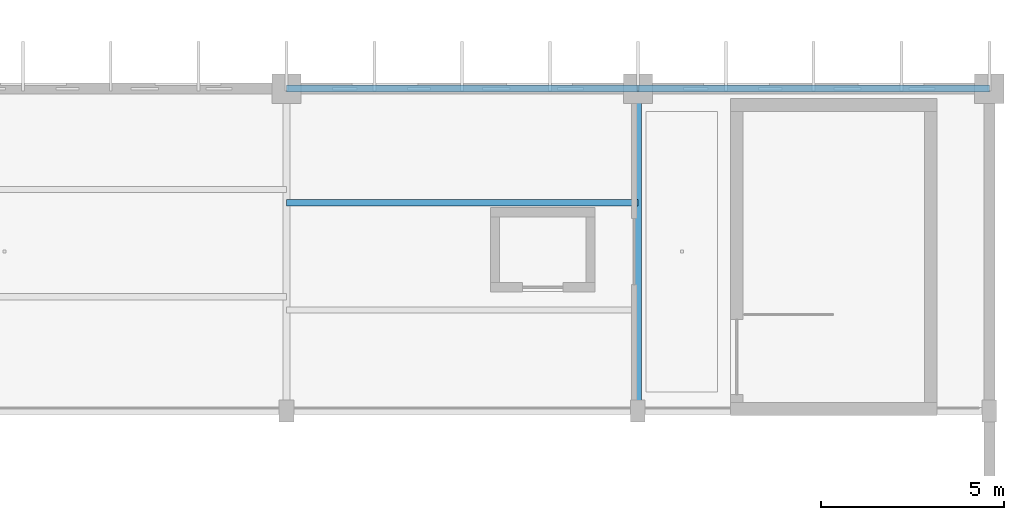
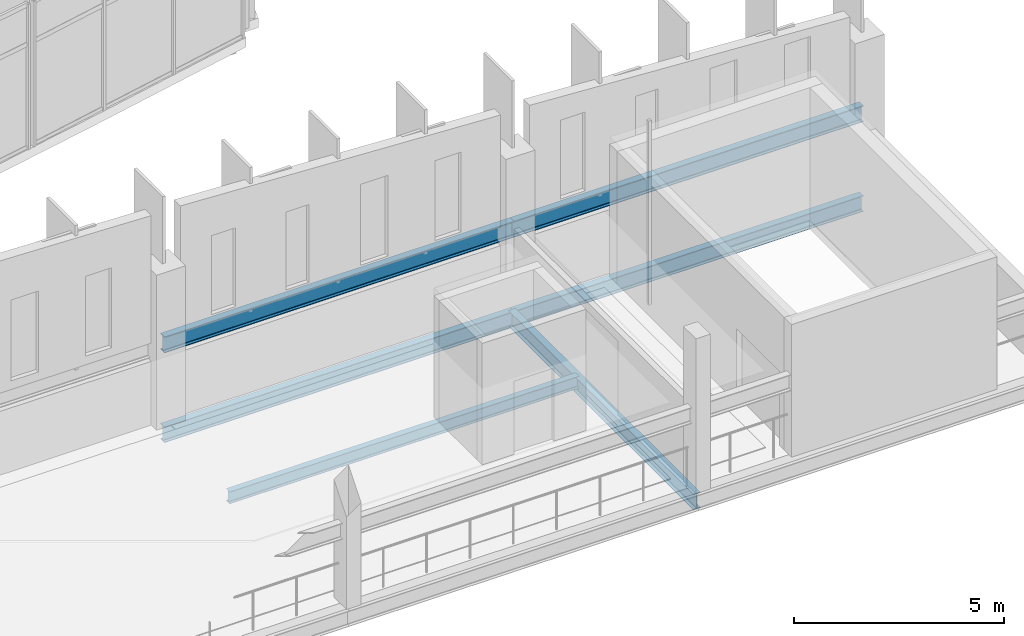
# One storey, part 48 of 114: 6 beams.
"""IFC4 building model written with IfcOpenShell, lengths in metres."""

from ifc_helpers import new_model, si_unit, direction, frame, origin, origin_2d, place, context, subcontext, project, spatial, i_section, extrude, material, material_profile, profile_set, type_object, element, save


model = new_model("IFC4")

# Units and contexts
model_context = context("Model", 3, precision=1e-05, world=origin(), true_north=direction((0.0, 1.0)))
body_context = subcontext(model_context, "Body", "Model", "MODEL_VIEW")
ifc_project = project(units=[si_unit("LENGTHUNIT", "METRE"), si_unit("AREAUNIT", "SQUARE_METRE"), si_unit("VOLUMEUNIT", "CUBIC_METRE"), si_unit("PLANEANGLEUNIT", "RADIAN"), si_unit("MASSUNIT", "GRAM", prefix="KILO")], contexts=[model_context])

# Site, building, storey
site_placement = place(None, origin())
site = spatial("IfcSite", under=ifc_project, at=site_placement, CompositionType="ELEMENT")
building_placement = place(site_placement, origin())
building = spatial("IfcBuilding", under=site, at=building_placement, Name="Chalmorin Arch Market", CompositionType="ELEMENT")
storey_placement = place(building_placement, frame((0.0, 0.0, 9.60009765625)))
storey = spatial("IfcBuildingStorey", under=building, at=storey_placement, Name="L02", CompositionType="ELEMENT", Elevation=9.60009765625)

# Beams
ifc_material = material(Name="Steel A992 Grade 50", Category="steel")
ifc_material_profile_1 = material_profile(ifc_material, i_section(OverallWidth=0.19091796875, OverallDepth=0.45703125, WebThickness=0.009033203125, FlangeThickness=0.014404296875, FilletRadius=0.02001953125, at=origin_2d()), Name="W18X50")
ifc_profile_set_1 = profile_set([ifc_material_profile_1], Name="Steel A992 Grade 50")
beam_type_1 = type_object("IfcBeamType", Name="FloorSteelBeam-W18X50", PredefinedType="BEAM", material=ifc_profile_set_1)
beam_1_placement = place(storey_placement, frame((115.199951171875, 50.0, -0.460693359375), z_axis=(0.0, 1.0, 0.0), x_axis=(-1.0, 0.0, 0.0)))
element("IfcBeam", 1, at=beam_1_placement, inside=storey, type_object=beam_type_1, Name="BM-W18B-1122", PredefinedType="BEAM", context=body_context, shape_type="SweptSolid", body=[
    extrude(i_section(OverallWidth=0.19091796875, OverallDepth=0.45703125, WebThickness=0.009033203125, FlangeThickness=0.014404296875, FilletRadius=0.02001953125, at=origin_2d()), origin(), (0.0, 0.0, 1.0), 8.800048828125),
])
ifc_material_profile_2 = material_profile(ifc_material, i_section(OverallWidth=0.193115234375, OverallDepth=0.466064453125, WebThickness=0.011474609375, FlangeThickness=0.01904296875, FilletRadius=0.02001953125, at=origin_2d()), Name="W18X65")
ifc_profile_set_2 = profile_set([ifc_material_profile_2], Name="Steel A992 Grade 50")
beam_type_2 = type_object("IfcBeamType", Name="FloorSteelBeam-W18X65", PredefinedType="BEAM", material=ifc_profile_set_2)
beam_2_placement = place(storey_placement, frame((105.60009765625, 58.800048828125, 2.14990234375), z_axis=(1.0, 0.0, 0.0), x_axis=(0.0, 1.0, 0.0)))
element("IfcBeam", 2, at=beam_2_placement, inside=storey, type_object=beam_type_2, Name="BM-W18A-1791", PredefinedType="BEAM", context=body_context, shape_type="SweptSolid", body=[
    extrude(i_section(OverallWidth=0.193115234375, OverallDepth=0.466064453125, WebThickness=0.011474609375, FlangeThickness=0.01904296875, FilletRadius=0.02001953125, at=origin_2d()), origin(), (0.0, 0.0, 1.0), 9.599853515625),
])
beam_3_placement = place(storey_placement, frame((115.199951171875, 58.800048828125, 2.14990234375), z_axis=(1.0, 0.0, 0.0), x_axis=(0.0, 1.0, 0.0)))
element("IfcBeam", 3, at=beam_3_placement, inside=storey, type_object=beam_type_2, Name="BM-W18A-1795", PredefinedType="BEAM", context=body_context, shape_type="SweptSolid", body=[
    extrude(i_section(OverallWidth=0.193115234375, OverallDepth=0.466064453125, WebThickness=0.011474609375, FlangeThickness=0.01904296875, FilletRadius=0.02001953125, at=origin_2d()), origin(), (0.0, 0.0, 1.0), 9.60009765625),
])
ifc_material_profile_3 = material_profile(ifc_material, i_section(OverallWidth=0.19091796875, OverallDepth=0.45703125, WebThickness=0.009033203125, FlangeThickness=0.014404296875, FilletRadius=0.02001953125, at=origin_2d()), Name="W18X50")
ifc_profile_set_3 = profile_set([ifc_material_profile_3], Name="Steel A992 Grade 50")
beam_type_3 = type_object("IfcBeamType", Name="PerimeterSpandrelBeam-W18X50", PredefinedType="SPANDREL", material=ifc_profile_set_3)
beam_4_placement = place(storey_placement, frame((105.60009765625, 58.800048828125, -0.460693359375), z_axis=(1.0, 0.0, 0.0), x_axis=(0.0, 1.0, 0.0)))
element("IfcBeam", 4, at=beam_4_placement, inside=storey, type_object=beam_type_3, Name="SP-W18-1121", PredefinedType="SPANDREL", context=body_context, shape_type="SweptSolid", body=[
    extrude(i_section(OverallWidth=0.19091796875, OverallDepth=0.45703125, WebThickness=0.009033203125, FlangeThickness=0.014404296875, FilletRadius=0.02001953125, at=origin_2d()), origin(), (0.0, 0.0, 1.0), 9.599853515625),
])
beam_5_placement = place(storey_placement, frame((115.199951171875, 58.800048828125, -0.460693359375), z_axis=(1.0, 0.0, 0.0), x_axis=(0.0, 1.0, 0.0)))
element("IfcBeam", 5, at=beam_5_placement, inside=storey, type_object=beam_type_3, Name="SP-W18-1124", PredefinedType="SPANDREL", context=body_context, shape_type="SweptSolid", body=[
    extrude(i_section(OverallWidth=0.19091796875, OverallDepth=0.45703125, WebThickness=0.009033203125, FlangeThickness=0.014404296875, FilletRadius=0.02001953125, at=origin_2d()), origin(), (0.0, 0.0, 1.0), 9.60009765625),
])
ifc_material_profile_4 = material_profile(ifc_material, i_section(OverallWidth=0.1708984375, OverallDepth=0.35107421875, WebThickness=0.0068359375, FlangeThickness=0.009765625, FilletRadius=0.014892578125, at=origin_2d()), Name="W14X30")
ifc_profile_set_4 = profile_set([ifc_material_profile_4], Name="Steel A992 Grade 50")
beam_type_4 = type_object("IfcBeamType", Name="SecondaryFloorJoist-W14X30", PredefinedType="JOIST", material=ifc_profile_set_4)
beam_6_placement = place(storey_placement, frame((105.60009765625, 55.686767578125, -0.40771484375), z_axis=(1.0, 0.0, 0.0), x_axis=(0.0, 1.0, 0.0)))
element("IfcBeam", 6, at=beam_6_placement, inside=storey, type_object=beam_type_4, Name="BJ-W14-1133", PredefinedType="JOIST", context=body_context, shape_type="SweptSolid", body=[
    extrude(i_section(OverallWidth=0.1708984375, OverallDepth=0.35107421875, WebThickness=0.0068359375, FlangeThickness=0.009765625, FilletRadius=0.014892578125, at=origin_2d()), origin(), (0.0, 0.0, 1.0), 9.599853515625),
])

save(model, "model.ifc")
